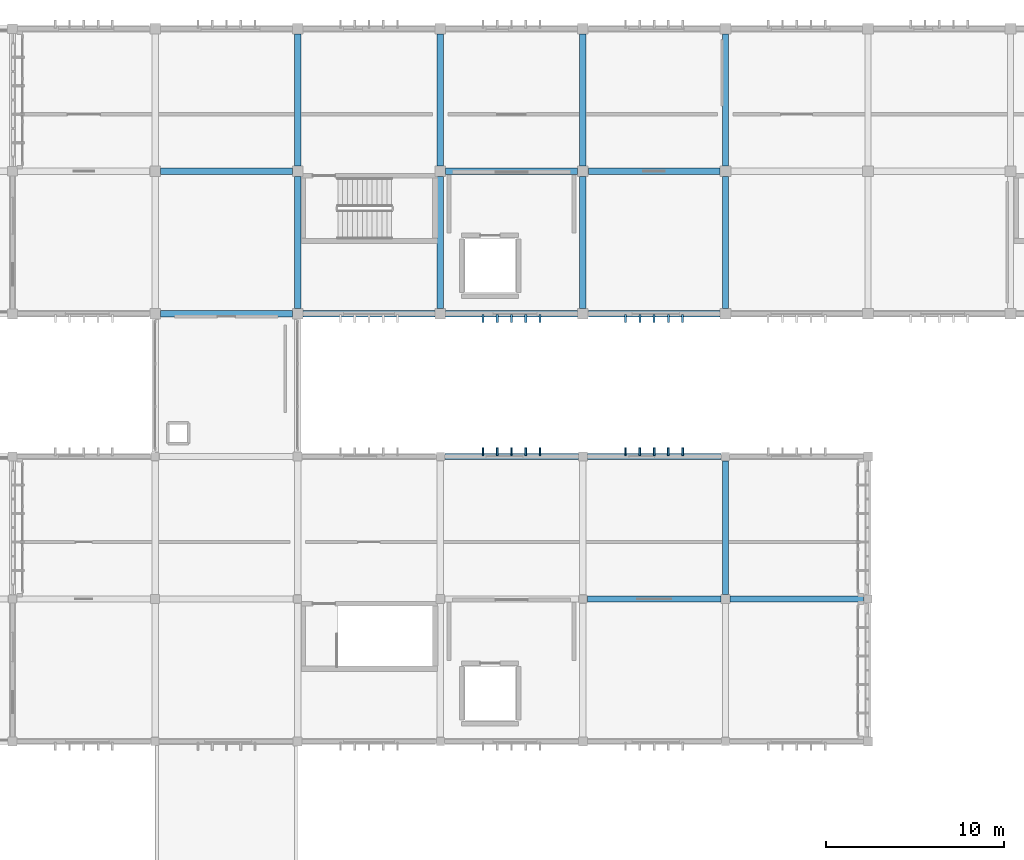
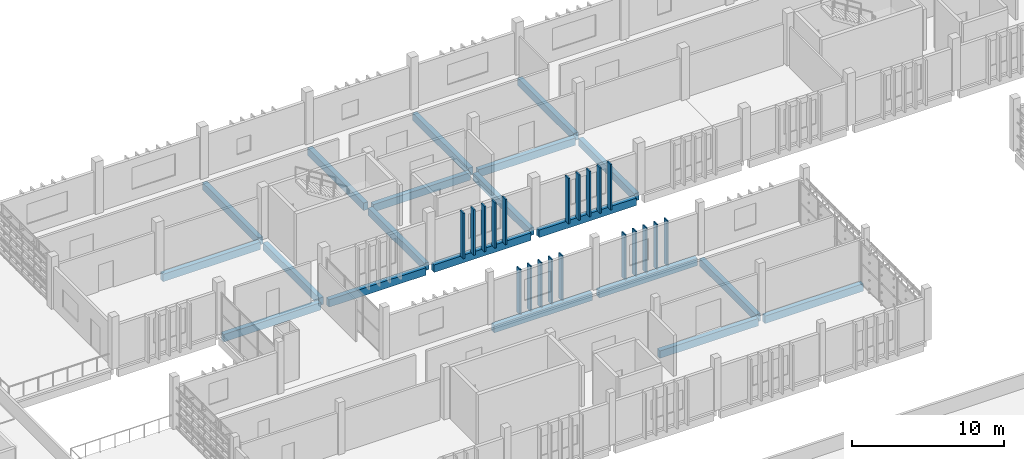
# One storey, part 12 of 48: 20 beams, 20 members.
"""IFC4 building model written with IfcOpenShell, lengths in metres."""

from ifc_helpers import new_model, si_unit, direction, frame, origin, origin_2d, place, context, subcontext, project, spatial, rectangle, extrude, material, material_profile, profile_set, type_object, element, save


model = new_model("IFC4")

# Units and contexts
model_context = context("Model", 3, precision=1e-05, world=origin(), true_north=direction((0.0, 1.0)))
body_context = subcontext(model_context, "Body", "Model", "MODEL_VIEW")
ifc_project = project(units=[si_unit("LENGTHUNIT", "METRE"), si_unit("AREAUNIT", "SQUARE_METRE"), si_unit("VOLUMEUNIT", "CUBIC_METRE"), si_unit("PLANEANGLEUNIT", "RADIAN"), si_unit("MASSUNIT", "GRAM", prefix="KILO")], contexts=[model_context])

# Site, building, storey
site_placement = place(None, origin())
site = spatial("IfcSite", under=ifc_project, at=site_placement, CompositionType="ELEMENT")
building_placement = place(site_placement, origin())
building = spatial("IfcBuilding", under=site, at=building_placement, Name="Jelvoka-Kovrelna Polytechnic", CompositionType="ELEMENT")
storey_placement = place(building_placement, frame((0.0, 0.0, 22.199951171875)))
storey = spatial("IfcBuildingStorey", under=building, at=storey_placement, Name="L06", CompositionType="ELEMENT", Elevation=22.199951171875)

# Beams
ifc_material_1 = material(Name="Concrete C35/45", Category="concrete")
ifc_material_profile_1 = material_profile(ifc_material_1, rectangle(XDim=0.35009765625, YDim=0.60009765625, at=origin_2d()), Name="RC 350x600")
ifc_profile_set_1 = profile_set([ifc_material_profile_1], Name="Concrete C35/45")
beam_type_1 = type_object("IfcBeamType", Name="Beam_RC_350x600", PredefinedType="BEAM", material=ifc_profile_set_1)
for number, where, z_axis, x_axis, name in (
    (1, (96.2548828125, 40.0, -0.5400390625), (1.0, 0.0, 0.0), (0.0, 1.0, 0.0), "L06 beam 1630"),
    (2, (104.2548828125, 40.0, -0.5400390625), (1.0, 0.0, 0.0), (0.0, 1.0, 0.0), "L06 beam 1631"),
    (3, (104.0, 40.2548828125, -0.5400390625), (0.0, 1.0, 0.0), (-1.0, 0.0, 0.0), "L06 beam 1649"),
):
    element("IfcBeam", number, at=place(storey_placement, frame(where, z_axis=z_axis, x_axis=x_axis)), inside=storey, type_object=beam_type_1, Name=name, PredefinedType="BEAM", context=body_context, shape_type="SweptSolid", body=[
        extrude(rectangle(XDim=0.35009765625, YDim=0.60009765625, at=origin_2d()), origin(), (0.0, 0.0, 1.0), 7.490234375),
    ])
for number, where, z_axis, x_axis, name in (
    (4, (72.304931640625, 64.0, -0.5400390625), (1.0, 0.0, 0.0), (0.0, 1.0, 0.0), "L06 beam 1705"),
    (5, (88.304931640625, 64.0, -0.5400390625), (1.0, 0.0, 0.0), (0.0, 1.0, 0.0), "L06 beam 1706"),
    (6, (96.304931640625, 64.0, -0.5400390625), (1.0, 0.0, 0.0), (0.0, 1.0, 0.0), "L06 beam 1707"),
    (7, (80.0, 56.304931640625, -0.5400390625), (0.0, 1.0, 0.0), (-1.0, 0.0, 0.0), "L06 beam 1719"),
    (8, (80.0, 64.304931640625, -0.5400390625), (0.0, 1.0, 0.0), (-1.0, 0.0, 0.0), "L06 beam 1720"),
    (9, (88.0, 56.304931640625, -0.5400390625), (0.0, 1.0, 0.0), (-1.0, 0.0, 0.0), "L06 beam 1721"),
    (10, (88.0, 64.304931640625, -0.5400390625), (0.0, 1.0, 0.0), (-1.0, 0.0, 0.0), "L06 beam 1722"),
    (11, (96.0, 56.304931640625, -0.5400390625), (0.0, 1.0, 0.0), (-1.0, 0.0, 0.0), "L06 beam 1723"),
    (12, (96.0, 64.304931640625, -0.5400390625), (0.0, 1.0, 0.0), (-1.0, 0.0, 0.0), "L06 beam 1724"),
    (13, (104.0, 56.304931640625, -0.5400390625), (0.0, 1.0, 0.0), (-1.0, 0.0, 0.0), "L06 beam 1725"),
    (14, (104.0, 64.304931640625, -0.5400390625), (0.0, 1.0, 0.0), (-1.0, 0.0, 0.0), "L06 beam 1726"),
):
    element("IfcBeam", number, at=place(storey_placement, frame(where, z_axis=z_axis, x_axis=x_axis)), inside=storey, type_object=beam_type_1, Name=name, PredefinedType="BEAM", context=body_context, shape_type="SweptSolid", body=[
        extrude(rectangle(XDim=0.35009765625, YDim=0.60009765625, at=origin_2d()), origin(), (0.0, 0.0, 1.0), 7.39013671875),
    ])

# Members
ifc_material_2 = material(Name="Precast concrete C40/50", Category="concrete")
ifc_material_profile_2 = material_profile(ifc_material_2, rectangle(XDim=0.10009765625, YDim=0.449951171875, at=origin_2d()), Name="PC 100x450")
ifc_profile_set_2 = profile_set([ifc_material_profile_2], Name="Precast concrete C40/50")
member_type_1 = type_object("IfcMemberType", Name="Louvre_Fin_100x450", PredefinedType="USERDEFINED", material=ifc_profile_set_2)
for number, where, z_axis, x_axis, name in (
    (15, (90.39990234375, 48.264892578125, -0.27001953125), (0.0, 0.0, 1.0), (1.0, 0.0, 0.0), "L06 B2W north vertical solar louvre fin 0841"),
    (16, (91.199951171875, 48.264892578125, -0.27001953125), (0.0, 0.0, 1.0), (1.0, 0.0, 0.0), "L06 B2W north vertical solar louvre fin 0842"),
    (17, (92.0, 48.264892578125, -0.27001953125), (0.0, 0.0, 1.0), (1.0, 0.0, 0.0), "L06 B2W north vertical solar louvre fin 0843"),
    (18, (92.800048828125, 48.264892578125, -0.27001953125), (0.0, 0.0, 1.0), (1.0, 0.0, 0.0), "L06 B2W north vertical solar louvre fin 0844"),
    (19, (93.60009765625, 48.264892578125, -0.27001953125), (0.0, 0.0, 1.0), (1.0, 0.0, 0.0), "L06 B2W north vertical solar louvre fin 0845"),
    (20, (98.39990234375, 48.264892578125, -0.27001953125), (0.0, 0.0, 1.0), (1.0, 0.0, 0.0), "L06 B2W north vertical solar louvre fin 0851"),
    (21, (99.199951171875, 48.264892578125, -0.27001953125), (0.0, 0.0, 1.0), (1.0, 0.0, 0.0), "L06 B2W north vertical solar louvre fin 0852"),
    (22, (100.0, 48.264892578125, -0.27001953125), (0.0, 0.0, 1.0), (1.0, 0.0, 0.0), "L06 B2W north vertical solar louvre fin 0853"),
    (23, (100.800048828125, 48.264892578125, -0.27001953125), (0.0, 0.0, 1.0), (1.0, 0.0, 0.0), "L06 B2W north vertical solar louvre fin 0854"),
    (24, (101.60009765625, 48.264892578125, -0.27001953125), (0.0, 0.0, 1.0), (1.0, 0.0, 0.0), "L06 B2W north vertical solar louvre fin 0855"),
):
    element("IfcMember", number, at=place(storey_placement, frame(where, z_axis=z_axis, x_axis=x_axis)), inside=storey, type_object=member_type_1, Name=name, ObjectType="SUNSHADE", PredefinedType="USERDEFINED", context=body_context, shape_type="SweptSolid", body=[
        extrude(rectangle(XDim=0.10009765625, YDim=0.449951171875, at=origin_2d()), origin(), (0.0, 0.0, 1.0), 3.655029296875),
    ])
ifc_material_3 = material(Name="Precast concrete C40/50", Category="concrete")
ifc_material_profile_3 = material_profile(ifc_material_3, rectangle(XDim=0.1201171875, YDim=0.449951171875, at=origin_2d()), Name="PC 120x450")
ifc_profile_set_3 = profile_set([ifc_material_profile_3], Name="Precast concrete C40/50")
member_type_2 = type_object("IfcMemberType", Name="Louvre_Fin_120x450", PredefinedType="USERDEFINED", material=ifc_profile_set_3)
for number, where, z_axis, x_axis, name in (
    (25, (90.39990234375, 55.735107421875, -0.27001953125), (0.0, 0.0, 1.0), (1.0, 0.0, 0.0), "L06 B3 south vertical solar louvre fin 1966"),
    (26, (91.199951171875, 55.735107421875, -0.27001953125), (0.0, 0.0, 1.0), (1.0, 0.0, 0.0), "L06 B3 south vertical solar louvre fin 1967"),
    (27, (92.0, 55.735107421875, -0.27001953125), (0.0, 0.0, 1.0), (1.0, 0.0, 0.0), "L06 B3 south vertical solar louvre fin 1968"),
    (28, (92.800048828125, 55.735107421875, -0.27001953125), (0.0, 0.0, 1.0), (1.0, 0.0, 0.0), "L06 B3 south vertical solar louvre fin 1969"),
    (29, (93.60009765625, 55.735107421875, -0.27001953125), (0.0, 0.0, 1.0), (1.0, 0.0, 0.0), "L06 B3 south vertical solar louvre fin 1970"),
    (30, (98.39990234375, 55.735107421875, -0.27001953125), (0.0, 0.0, 1.0), (1.0, 0.0, 0.0), "L06 B3 south vertical solar louvre fin 1976"),
    (31, (99.199951171875, 55.735107421875, -0.27001953125), (0.0, 0.0, 1.0), (1.0, 0.0, 0.0), "L06 B3 south vertical solar louvre fin 1977"),
    (32, (100.0, 55.735107421875, -0.27001953125), (0.0, 0.0, 1.0), (1.0, 0.0, 0.0), "L06 B3 south vertical solar louvre fin 1978"),
    (33, (100.800048828125, 55.735107421875, -0.27001953125), (0.0, 0.0, 1.0), (1.0, 0.0, 0.0), "L06 B3 south vertical solar louvre fin 1979"),
    (34, (101.60009765625, 55.735107421875, -0.27001953125), (0.0, 0.0, 1.0), (1.0, 0.0, 0.0), "L06 B3 south vertical solar louvre fin 1980"),
):
    element("IfcMember", number, at=place(storey_placement, frame(where, z_axis=z_axis, x_axis=x_axis)), inside=storey, type_object=member_type_2, Name=name, ObjectType="SUNSHADE", PredefinedType="USERDEFINED", context=body_context, shape_type="SweptSolid", body=[
        extrude(rectangle(XDim=0.1201171875, YDim=0.449951171875, at=origin_2d()), origin(), (0.0, 0.0, 1.0), 3.655029296875),
    ])

# Beams
ifc_material_4 = material(Name="Concrete C40/50", Category="concrete")
ifc_material_profile_4 = material_profile(ifc_material_4, rectangle(XDim=0.35009765625, YDim=0.60009765625, at=origin_2d()), Name="RC 350x600")
ifc_profile_set_4 = profile_set([ifc_material_profile_4], Name="Concrete C40/50")
beam_type_2 = type_object("IfcBeamType", Name="Spandrel_RC_350x600", PredefinedType="SPANDREL", material=ifc_profile_set_4)
for number, where, z_axis, x_axis, name in (
    (35, (88.2548828125, 48.0, -0.5400390625), (1.0, 0.0, 0.0), (0.0, 1.0, 0.0), "L06 beam 1635"),
    (36, (96.2548828125, 48.0, -0.5400390625), (1.0, 0.0, 0.0), (0.0, 1.0, 0.0), "L06 beam 1636"),
):
    element("IfcBeam", number, at=place(storey_placement, frame(where, z_axis=z_axis, x_axis=x_axis)), inside=storey, type_object=beam_type_2, Name=name, PredefinedType="SPANDREL", context=body_context, shape_type="SweptSolid", body=[
        extrude(rectangle(XDim=0.35009765625, YDim=0.60009765625, at=origin_2d()), origin(), (0.0, 0.0, 1.0), 7.490234375),
    ])
for number, where, z_axis, x_axis, name in (
    (37, (72.304931640625, 56.0, -0.5400390625), (1.0, 0.0, 0.0), (0.0, 1.0, 0.0), "L06 beam 1699"),
    (38, (80.304931640625, 56.0, -0.5400390625), (1.0, 0.0, 0.0), (0.0, 1.0, 0.0), "L06 beam 1700"),
    (39, (88.304931640625, 56.0, -0.5400390625), (1.0, 0.0, 0.0), (0.0, 1.0, 0.0), "L06 beam 1701"),
    (40, (96.304931640625, 56.0, -0.5400390625), (1.0, 0.0, 0.0), (0.0, 1.0, 0.0), "L06 beam 1702"),
):
    element("IfcBeam", number, at=place(storey_placement, frame(where, z_axis=z_axis, x_axis=x_axis)), inside=storey, type_object=beam_type_2, Name=name, PredefinedType="SPANDREL", context=body_context, shape_type="SweptSolid", body=[
        extrude(rectangle(XDim=0.35009765625, YDim=0.60009765625, at=origin_2d()), origin(), (0.0, 0.0, 1.0), 7.39013671875),
    ])

save(model, "model.ifc")
